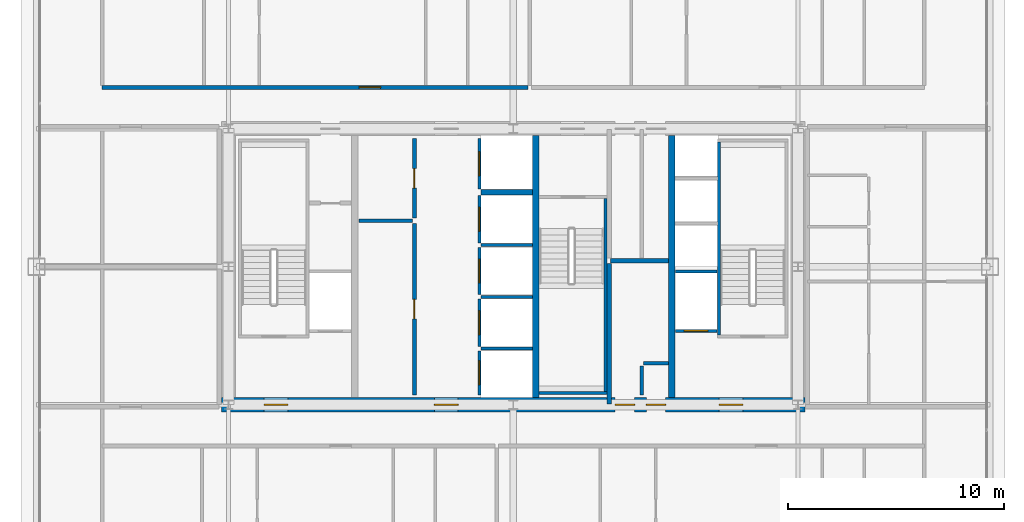
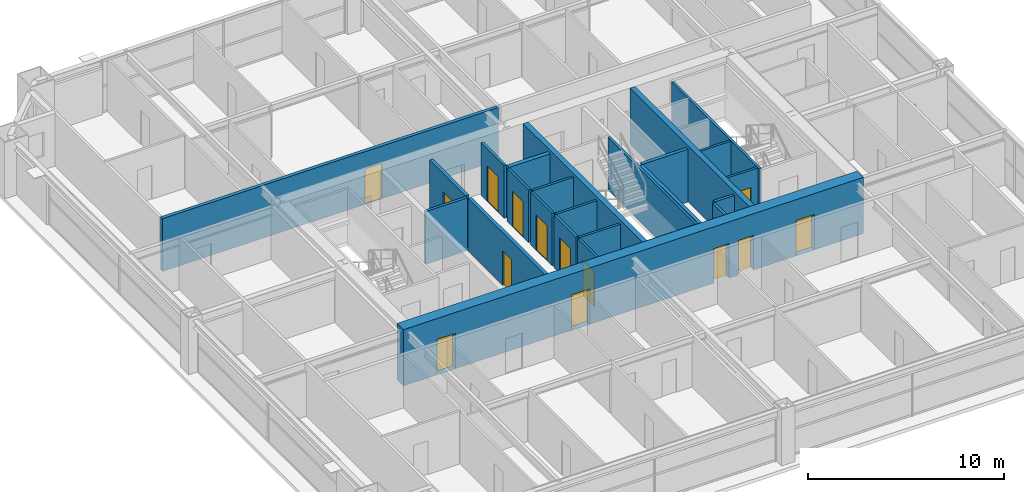
# One storey, part 34 of 38: 25 walls, 14 doors, 14 openings.
"""IFC4 building model written with IfcOpenShell, lengths in metres."""

from ifc_helpers import new_model, si_unit, direction, frame, frame_2d, origin, place, context, subcontext, project, spatial, rectangle, extrude, source, transform, mapped, material, layer, layer_set, type_object, element, fill, save


model = new_model("IFC4")

# Units and contexts
model_context = context("Model", 3, precision=1e-05, world=origin(), true_north=direction((0.0, 1.0)))
body_context = subcontext(model_context, "Body", "Model", "MODEL_VIEW")
ifc_project = project(units=[si_unit("LENGTHUNIT", "METRE"), si_unit("AREAUNIT", "SQUARE_METRE"), si_unit("VOLUMEUNIT", "CUBIC_METRE"), si_unit("PLANEANGLEUNIT", "RADIAN"), si_unit("MASSUNIT", "GRAM", prefix="KILO"), si_unit("THERMODYNAMICTEMPERATUREUNIT", "KELVIN"), si_unit("POWERUNIT", "WATT")], contexts=[model_context])

# Site, building, storey
site_placement = place(None, origin())
site = spatial("IfcSite", under=ifc_project, at=site_placement, CompositionType="ELEMENT")
building_placement = place(site_placement, origin())
building = spatial("IfcBuilding", under=site, at=building_placement, Name="Yuzanri Waterfront Tower", CompositionType="ELEMENT")
storey_placement = place(building_placement, frame((0.0, 0.0, 195.0)))
storey = spatial("IfcBuildingStorey", under=building, at=storey_placement, Name="L51", CompositionType="ELEMENT", Elevation=195.0)

# Wall, openings, doors
ifc_material_1 = material(Name="Concrete C50", Category="concrete")
ifc_layer_1 = layer(ifc_material_1, 0.64990234375)
ifc_layer_set_1 = layer_set([ifc_layer_1], Name="Concrete C50")
wall_type_1 = type_object("IfcWallType", Name="Concrete C50 Mid Zone Core Shear Wall 650", PredefinedType="SHEAR", material=ifc_layer_set_1)
wall_1_placement = place(storey_placement, frame((23.47509765625, 19.39990234375, 0.0), z_axis=(0.0, 0.0, 1.0), x_axis=(1.0, 0.0, 0.0)))
wall_1 = element("IfcWall", 1, at=wall_1_placement, inside=storey, type_object=wall_type_1, Name="L51 Core South Shear Wall", PredefinedType="SHEAR", context=body_context, shape_type="SweptSolid", body=[
    extrude(rectangle(XDim=27.0498046875, YDim=0.64990234375, at=frame_2d((13.52490234375, 0.0))), origin(), (0.0, 0.0, 1.0), 3.5),
])
opening_1_placement = place(wall_1_placement, frame((1.97509765625, 0.0, 0.0)))
opening_1 = element("IfcOpeningElement", 2, at=opening_1_placement, cuts=wall_1, Name="Opening FD-1100", PredefinedType="OPENING", context=body_context, shape_type="SweptSolid", body=[
    extrude(rectangle(XDim=1.10009765625, YDim=2.199951171875, at=frame_2d((0.550048828125, 1.10009765625))), frame((0.0, 0.33984375, 0.0), z_axis=(0.0, -1.0, 0.0), x_axis=(1.0, 0.0, 0.0)), (0.0, 0.0, 1.0), 0.6796875),
])
opening_2_placement = place(wall_1_placement, frame((9.875, 0.0, 0.0)))
opening_2 = element("IfcOpeningElement", 3, at=opening_2_placement, cuts=wall_1, Name="Opening FD-1100", PredefinedType="OPENING", context=body_context, shape_type="SweptSolid", body=[
    extrude(rectangle(XDim=1.10009765625, YDim=2.199951171875, at=frame_2d((0.550048828125, 1.10009765625))), frame((0.0, 0.33984375, 0.0), z_axis=(0.0, -1.0, 0.0), x_axis=(1.0, 0.0, 0.0)), (0.0, 0.0, 1.0), 0.6796875),
])
opening_3_placement = place(wall_1_placement, frame((23.074951171875, 0.0, 0.0)))
opening_3 = element("IfcOpeningElement", 4, at=opening_3_placement, cuts=wall_1, Name="Opening FD-1100", PredefinedType="OPENING", context=body_context, shape_type="SweptSolid", body=[
    extrude(rectangle(XDim=1.10009765625, YDim=2.199951171875, at=frame_2d((0.550048828125, 1.10009765625))), frame((0.0, 0.33984375, 0.0), z_axis=(0.0, -1.0, 0.0), x_axis=(1.0, 0.0, 0.0)), (0.0, 0.0, 1.0), 0.6796875),
])
opening_4_placement = place(wall_1_placement, frame((19.695068359375, 0.0, 0.0)))
opening_4 = element("IfcOpeningElement", 5, at=opening_4_placement, cuts=wall_1, Name="Opening FD-0900", PredefinedType="OPENING", context=body_context, shape_type="SweptSolid", body=[
    extrude(rectangle(XDim=0.89990234375, YDim=2.14990234375, at=frame_2d((0.449951171875, 1.074951171875))), frame((0.0, 0.33984375, 0.0), z_axis=(0.0, -1.0, 0.0), x_axis=(1.0, 0.0, 0.0)), (0.0, 0.0, 1.0), 0.6796875),
])
opening_5_placement = place(wall_1_placement, frame((18.2548828125, 0.0, 0.0)))
opening_5 = element("IfcOpeningElement", 6, at=opening_5_placement, cuts=wall_1, Name="Opening FD-0900", PredefinedType="OPENING", context=body_context, shape_type="SweptSolid", body=[
    extrude(rectangle(XDim=0.89990234375, YDim=2.14990234375, at=frame_2d((0.449951171875, 1.074951171875))), frame((0.0, 0.33984375, 0.0), z_axis=(0.0, -1.0, 0.0), x_axis=(1.0, 0.0, 0.0)), (0.0, 0.0, 1.0), 0.6796875),
])
ifc_material_2 = material(Name="Painted Galvanized Fire Steel", Category="steel")
door_type_1 = type_object("IfcDoorType", Name="Smoke-Proof Stair and Lobby Fire Door 1100x2200", OperationType="NOTDEFINED", PredefinedType="DOOR", material=ifc_material_2)
shared_shape_1 = source(origin(), body_context, "Body", "SweptSolid", [
    extrude(rectangle(XDim=1.10009765625, YDim=2.199951171875, at=frame_2d((0.550048828125, 1.10009765625))), frame((0.0, 0.02490234375, 0.0), z_axis=(0.0, -1.0, 0.0), x_axis=(1.0, 0.0, 0.0)), (0.0, 0.0, 1.0), 0.050048828125),
])
door_1_placement = place(opening_1_placement, origin())
door_1 = element("IfcDoor", 7, at=door_1_placement, inside=storey, type_object=door_type_1, Name="L51 West Firefighting Lobby Door", OperationType="SINGLE_SWING_RIGHT", OverallHeight=2.199951171875, OverallWidth=1.10009765625, PredefinedType="DOOR", context=body_context, shape_type="MappedRepresentation", body=[
    mapped(shared_shape_1, transform((0.0, 0.0, 0.0), scale=1.0)),
])
fill(opening_1, door_1)
door_2_placement = place(opening_2_placement, origin())
door_2 = element("IfcDoor", 8, at=door_2_placement, inside=storey, type_object=door_type_1, Name="L51 Central Lift Lobby South Door", OperationType="SINGLE_SWING_LEFT", OverallHeight=2.199951171875, OverallWidth=1.10009765625, PredefinedType="DOOR", context=body_context, shape_type="MappedRepresentation", body=[
    mapped(shared_shape_1, transform((0.0, 0.0, 0.0), scale=1.0)),
])
fill(opening_2, door_2)
door_3_placement = place(opening_3_placement, origin())
door_3 = element("IfcDoor", 9, at=door_3_placement, inside=storey, type_object=door_type_1, Name="L51 East Firefighting Lobby Door", OperationType="SINGLE_SWING_RIGHT", OverallHeight=2.199951171875, OverallWidth=1.10009765625, PredefinedType="DOOR", context=body_context, shape_type="MappedRepresentation", body=[
    mapped(shared_shape_1, transform((0.0, 0.0, 0.0), scale=1.0)),
])
fill(opening_3, door_3)
ifc_material_3 = material(Name="Painted Galvanized Fire Steel", Category="steel")
door_type_2 = type_object("IfcDoorType", Name="Riser and Service Room Fire Door 900x2150", OperationType="NOTDEFINED", PredefinedType="DOOR", material=ifc_material_3)
shared_shape_2 = source(origin(), body_context, "Body", "SweptSolid", [
    extrude(rectangle(XDim=0.89990234375, YDim=2.14990234375, at=frame_2d((0.449951171875, 1.074951171875))), frame((0.0, 0.02490234375, 0.0), z_axis=(0.0, -1.0, 0.0), x_axis=(1.0, 0.0, 0.0)), (0.0, 0.0, 1.0), 0.050048828125),
])
door_4_placement = place(opening_4_placement, origin())
door_4 = element("IfcDoor", 10, at=door_4_placement, inside=storey, type_object=door_type_2, Name="L51 East Wet Riser Door", OperationType="SINGLE_SWING_LEFT", OverallHeight=2.14990234375, OverallWidth=0.89990234375, PredefinedType="DOOR", context=body_context, shape_type="MappedRepresentation", body=[
    mapped(shared_shape_2, transform((0.0, 0.0, 0.0), scale=1.0)),
])
fill(opening_4, door_4)
door_5_placement = place(opening_5_placement, origin())
door_5 = element("IfcDoor", 11, at=door_5_placement, inside=storey, type_object=door_type_2, Name="L51 Cleaners Store Room", OperationType="SINGLE_SWING_RIGHT", OverallHeight=2.14990234375, OverallWidth=0.89990234375, PredefinedType="DOOR", context=body_context, shape_type="MappedRepresentation", body=[
    mapped(shared_shape_2, transform((0.0, 0.0, 0.0), scale=1.0)),
])
fill(opening_5, door_5)

# Wall, opening, door
ifc_material_4 = material(Name="Concrete C40", Category="concrete")
ifc_layer_2 = layer(ifc_material_4, 0.139892578125)
ifc_layer_set_2 = layer_set([ifc_layer_2], Name="Concrete C40")
wall_type_2 = type_object("IfcWallType", Name="Core Stair Liner and Hoistway Shaft Wall 140", PredefinedType="SOLIDWALL", material=ifc_layer_set_2)
wall_2_placement = place(storey_placement, frame((44.52001953125, 22.830078125, 0.0), z_axis=(0.0, 0.0, 1.0), x_axis=(1.0, 0.0, 0.0)))
wall_2 = element("IfcWall", 12, at=wall_2_placement, inside=storey, type_object=wall_type_2, Name="L51 Lift FL-02 Front Shaft Wall", PredefinedType="SOLIDWALL", context=body_context, shape_type="SweptSolid", body=[
    extrude(rectangle(XDim=1.919921875, YDim=0.139892578125, at=frame_2d((0.9599609375, 0.0))), origin(), (0.0, 0.0, 1.0), 3.280029296875),
])
opening_6_placement = place(wall_2_placement, frame((0.409912109375, 0.0, 0.0)))
opening_6 = element("IfcOpeningElement", 13, at=opening_6_placement, cuts=wall_2, Name="Opening LD-FL-02", PredefinedType="OPENING", context=body_context, shape_type="SweptSolid", body=[
    extrude(rectangle(XDim=1.10009765625, YDim=2.199951171875, at=frame_2d((0.550048828125, 1.10009765625))), frame((0.0, 0.0849609375, 0.0), z_axis=(0.0, -1.0, 0.0), x_axis=(1.0, 0.0, 0.0)), (0.0, 0.0, 1.0), 0.169677734375),
])
ifc_material_5 = material(Name="Brushed Bronze and Stainless Steel Cab", Category="steel")
door_type_3 = type_object("IfcDoorType", Name="Center-Parting Bronze Lift Landing Sliding Door 1100x2200", OperationType="NOTDEFINED", PredefinedType="DOOR", material=ifc_material_5)
shared_shape_3 = source(origin(), body_context, "Body", "SweptSolid", [
    extrude(rectangle(XDim=1.10009765625, YDim=2.199951171875, at=frame_2d((0.550048828125, 1.10009765625))), frame((0.0, 0.02490234375, 0.0), z_axis=(0.0, -1.0, 0.0), x_axis=(1.0, 0.0, 0.0)), (0.0, 0.0, 1.0), 0.050048828125),
])
door_6_placement = place(opening_6_placement, origin())
door_6 = element("IfcDoor", 14, at=door_6_placement, inside=storey, type_object=door_type_3, Name="L51 FL-02 Lift Landing Sliding Door", OperationType="SLIDING_TO_RIGHT", OverallHeight=2.199951171875, OverallWidth=1.10009765625, PredefinedType="DOOR", context=body_context, shape_type="MappedRepresentation", body=[
    mapped(shared_shape_3, transform((0.0, 0.0, 0.0), scale=1.0)),
])
fill(opening_6, door_6)

wall_3_placement = place(storey_placement, frame((35.429931640625, 19.860107421875, 0.0), z_axis=(0.0, 0.0, 1.0), x_axis=(0.0, 1.0, 0.0)))
wall_3 = element("IfcWall", 15, at=wall_3_placement, inside=storey, type_object=wall_type_2, Name="L51 Lift PL-05 Front Shaft Wall", PredefinedType="SOLIDWALL", context=body_context, shape_type="SweptSolid", body=[
    extrude(rectangle(XDim=2.039794921875, YDim=0.139892578125, at=frame_2d((1.02001953125, 0.0))), origin(), (0.0, 0.0, 1.0), 3.280029296875),
])
opening_7_placement = place(wall_3_placement, frame((0.469970703125, 0.0, 0.0)))
opening_7 = element("IfcOpeningElement", 16, at=opening_7_placement, cuts=wall_3, Name="Opening LD-PL-05", PredefinedType="OPENING", context=body_context, shape_type="SweptSolid", body=[
    extrude(rectangle(XDim=1.10009765625, YDim=2.199951171875, at=frame_2d((0.550048828125, 1.10009765625))), frame((0.0, 0.0849609375, 0.0), z_axis=(0.0, -1.0, 0.0), x_axis=(1.0, 0.0, 0.0)), (0.0, 0.0, 1.0), 0.169677734375),
])
door_7_placement = place(opening_7_placement, origin())
door_7 = element("IfcDoor", 17, at=door_7_placement, inside=storey, type_object=door_type_3, Name="L51 PL-05 Lift Landing Sliding Door", OperationType="SLIDING_TO_RIGHT", OverallHeight=2.199951171875, OverallWidth=1.10009765625, PredefinedType="DOOR", context=body_context, shape_type="MappedRepresentation", body=[
    mapped(shared_shape_3, transform((0.0, 0.0, 0.0), scale=1.0)),
])
fill(opening_7, door_7)

wall_4_placement = place(storey_placement, frame((35.429931640625, 22.10009765625, 0.0), z_axis=(0.0, 0.0, 1.0), x_axis=(0.0, 1.0, 0.0)))
wall_4 = element("IfcWall", 18, at=wall_4_placement, inside=storey, type_object=wall_type_2, Name="L51 Lift PL-06 Front Shaft Wall", PredefinedType="SOLIDWALL", context=body_context, shape_type="SweptSolid", body=[
    extrude(rectangle(XDim=2.199951171875, YDim=0.139892578125, at=frame_2d((1.10009765625, 0.0))), origin(), (0.0, 0.0, 1.0), 3.280029296875),
])
opening_8_placement = place(wall_4_placement, frame((0.550048828125, 0.0, 0.0)))
opening_8 = element("IfcOpeningElement", 19, at=opening_8_placement, cuts=wall_4, Name="Opening LD-PL-06", PredefinedType="OPENING", context=body_context, shape_type="SweptSolid", body=[
    extrude(rectangle(XDim=1.10009765625, YDim=2.199951171875, at=frame_2d((0.550048828125, 1.10009765625))), frame((0.0, 0.0849609375, 0.0), z_axis=(0.0, -1.0, 0.0), x_axis=(1.0, 0.0, 0.0)), (0.0, 0.0, 1.0), 0.169677734375),
])
door_8_placement = place(opening_8_placement, origin())
door_8 = element("IfcDoor", 20, at=door_8_placement, inside=storey, type_object=door_type_3, Name="L51 PL-06 Lift Landing Sliding Door", OperationType="SLIDING_TO_LEFT", OverallHeight=2.199951171875, OverallWidth=1.10009765625, PredefinedType="DOOR", context=body_context, shape_type="MappedRepresentation", body=[
    mapped(shared_shape_3, transform((0.0, 0.0, 0.0), scale=1.0)),
])
fill(opening_8, door_8)

wall_5_placement = place(storey_placement, frame((35.429931640625, 24.5, 0.0), z_axis=(0.0, 0.0, 1.0), x_axis=(0.0, 1.0, 0.0)))
wall_5 = element("IfcWall", 21, at=wall_5_placement, inside=storey, type_object=wall_type_2, Name="L51 Lift PL-07 Front Shaft Wall", PredefinedType="SOLIDWALL", context=body_context, shape_type="SweptSolid", body=[
    extrude(rectangle(XDim=2.199951171875, YDim=0.139892578125, at=frame_2d((1.10009765625, 0.0))), origin(), (0.0, 0.0, 1.0), 3.280029296875),
])
opening_9_placement = place(wall_5_placement, frame((0.550048828125, 0.0, 0.0)))
opening_9 = element("IfcOpeningElement", 22, at=opening_9_placement, cuts=wall_5, Name="Opening LD-PL-07", PredefinedType="OPENING", context=body_context, shape_type="SweptSolid", body=[
    extrude(rectangle(XDim=1.10009765625, YDim=2.199951171875, at=frame_2d((0.550048828125, 1.10009765625))), frame((0.0, 0.0849609375, 0.0), z_axis=(0.0, -1.0, 0.0), x_axis=(1.0, 0.0, 0.0)), (0.0, 0.0, 1.0), 0.169677734375),
])
door_9_placement = place(opening_9_placement, origin())
door_9 = element("IfcDoor", 23, at=door_9_placement, inside=storey, type_object=door_type_3, Name="L51 PL-07 Lift Landing Sliding Door", OperationType="SLIDING_TO_RIGHT", OverallHeight=2.199951171875, OverallWidth=1.10009765625, PredefinedType="DOOR", context=body_context, shape_type="MappedRepresentation", body=[
    mapped(shared_shape_3, transform((0.0, 0.0, 0.0), scale=1.0)),
])
fill(opening_9, door_9)

wall_6_placement = place(storey_placement, frame((35.429931640625, 26.89990234375, 0.0), z_axis=(0.0, 0.0, 1.0), x_axis=(0.0, 1.0, 0.0)))
wall_6 = element("IfcWall", 24, at=wall_6_placement, inside=storey, type_object=wall_type_2, Name="L51 Lift PL-08 Front Shaft Wall", PredefinedType="SOLIDWALL", context=body_context, shape_type="SweptSolid", body=[
    extrude(rectangle(XDim=2.2001953125, YDim=0.139892578125, at=frame_2d((1.10009765625, 0.0))), origin(), (0.0, 0.0, 1.0), 3.280029296875),
])
opening_10_placement = place(wall_6_placement, frame((0.550048828125, 0.0, 0.0)))
opening_10 = element("IfcOpeningElement", 25, at=opening_10_placement, cuts=wall_6, Name="Opening LD-PL-08", PredefinedType="OPENING", context=body_context, shape_type="SweptSolid", body=[
    extrude(rectangle(XDim=1.10009765625, YDim=2.199951171875, at=frame_2d((0.550048828125, 1.10009765625))), frame((0.0, 0.0849609375, 0.0), z_axis=(0.0, -1.0, 0.0), x_axis=(1.0, 0.0, 0.0)), (0.0, 0.0, 1.0), 0.169677734375),
])
door_10_placement = place(opening_10_placement, origin())
door_10 = element("IfcDoor", 26, at=door_10_placement, inside=storey, type_object=door_type_3, Name="L51 PL-08 Lift Landing Sliding Door", OperationType="SLIDING_TO_LEFT", OverallHeight=2.199951171875, OverallWidth=1.10009765625, PredefinedType="DOOR", context=body_context, shape_type="MappedRepresentation", body=[
    mapped(shared_shape_3, transform((0.0, 0.0, 0.0), scale=1.0)),
])
fill(opening_10, door_10)

wall_7_placement = place(storey_placement, frame((35.429931640625, 29.39990234375, 0.0), z_axis=(0.0, 0.0, 1.0), x_axis=(0.0, 1.0, 0.0)))
wall_7 = element("IfcWall", 27, at=wall_7_placement, inside=storey, type_object=wall_type_2, Name="L51 Lift SL-02 Front Shaft Wall", PredefinedType="SOLIDWALL", context=body_context, shape_type="SweptSolid", body=[
    extrude(rectangle(XDim=2.340087890625, YDim=0.139892578125, at=frame_2d((1.169921875, 0.0))), origin(), (0.0, 0.0, 1.0), 3.280029296875),
])
opening_11_placement = place(wall_7_placement, frame((0.6201171875, 0.0, 0.0)))
opening_11 = element("IfcOpeningElement", 28, at=opening_11_placement, cuts=wall_7, Name="Opening LD-SL-02", PredefinedType="OPENING", context=body_context, shape_type="SweptSolid", body=[
    extrude(rectangle(XDim=1.10009765625, YDim=2.199951171875, at=frame_2d((0.550048828125, 1.10009765625))), frame((0.0, 0.0849609375, 0.0), z_axis=(0.0, -1.0, 0.0), x_axis=(1.0, 0.0, 0.0)), (0.0, 0.0, 1.0), 0.169677734375),
])
door_11_placement = place(opening_11_placement, origin())
door_11 = element("IfcDoor", 29, at=door_11_placement, inside=storey, type_object=door_type_3, Name="L51 SL-02 Lift Landing Sliding Door", OperationType="SLIDING_TO_RIGHT", OverallHeight=2.199951171875, OverallWidth=1.10009765625, PredefinedType="DOOR", context=body_context, shape_type="MappedRepresentation", body=[
    mapped(shared_shape_3, transform((0.0, 0.0, 0.0), scale=1.0)),
])
fill(opening_11, door_11)

ifc_material_6 = material(Name="Autoclaved Aerated Concrete Blockwork", Category="masonry")
ifc_layer_3 = layer(ifc_material_6, 0.199951171875)
ifc_layer_set_3 = layer_set([ifc_layer_3], Name="Autoclaved Aerated Concrete Blockwork")
wall_type_3 = type_object("IfcWallType", Name="Corridor and Unit Party Fire Wall 200", PredefinedType="PARTITIONING", material=ifc_layer_set_3)
wall_8_placement = place(storey_placement, frame((32.419921875, 19.860107421875, 0.0), z_axis=(0.0, 0.0, 1.0), x_axis=(0.0, 1.0, 0.0)))
wall_8 = element("IfcWall", 30, at=wall_8_placement, inside=storey, type_object=wall_type_3, Name="L51 Partition CRW-L51-B1R-1", PredefinedType="PARTITIONING", context=body_context, shape_type="SweptSolid", body=[
    extrude(rectangle(XDim=7.93994140625, YDim=0.199951171875, at=frame_2d((3.969970703125, 0.0))), origin(), (0.0, 0.0, 1.0), 3.280029296875),
])
opening_12_placement = place(wall_8_placement, frame((3.52001953125, 0.0, 0.0)))
opening_12 = element("IfcOpeningElement", 31, at=opening_12_placement, cuts=wall_8, Name="Opening FD-0900", PredefinedType="OPENING", context=body_context, shape_type="SweptSolid", body=[
    extrude(rectangle(XDim=0.89990234375, YDim=2.14990234375, at=frame_2d((0.449951171875, 1.074951171875))), frame((0.0, 0.11474609375, 0.0), z_axis=(0.0, -1.0, 0.0), x_axis=(1.0, 0.0, 0.0)), (0.0, 0.0, 1.0), 0.229736328125),
])
door_12_placement = place(opening_12_placement, origin())
door_12 = element("IfcDoor", 32, at=door_12_placement, inside=storey, type_object=door_type_2, Name="L51 General Store Room", OperationType="SINGLE_SWING_LEFT", OverallHeight=2.14990234375, OverallWidth=0.89990234375, PredefinedType="DOOR", context=body_context, shape_type="MappedRepresentation", body=[
    mapped(shared_shape_2, transform((0.0, 0.0, 0.0), scale=1.0)),
])
fill(opening_12, door_12)

wall_9_placement = place(storey_placement, frame((32.419921875, 28.050048828125, 0.0), z_axis=(0.0, 0.0, 1.0), x_axis=(0.0, 1.0, 0.0)))
wall_9 = element("IfcWall", 33, at=wall_9_placement, inside=storey, type_object=wall_type_3, Name="L51 Partition CRW-L51-B1R-2", PredefinedType="PARTITIONING", context=body_context, shape_type="SweptSolid", body=[
    extrude(rectangle(XDim=3.68994140625, YDim=0.199951171875, at=frame_2d((1.844970703125, 0.0))), origin(), (0.0, 0.0, 1.0), 3.280029296875),
])
opening_13_placement = place(wall_9_placement, frame((1.39501953125, 0.0, 0.0)))
opening_13 = element("IfcOpeningElement", 34, at=opening_13_placement, cuts=wall_9, Name="Opening FD-0900", PredefinedType="OPENING", context=body_context, shape_type="SweptSolid", body=[
    extrude(rectangle(XDim=0.89990234375, YDim=2.14990234375, at=frame_2d((0.449951171875, 1.074951171875))), frame((0.0, 0.11474609375, 0.0), z_axis=(0.0, -1.0, 0.0), x_axis=(1.0, 0.0, 0.0)), (0.0, 0.0, 1.0), 0.229736328125),
])
door_13_placement = place(opening_13_placement, origin())
door_13 = element("IfcDoor", 35, at=door_13_placement, inside=storey, type_object=door_type_2, Name="L51 Water Riser Shaft", OperationType="SINGLE_SWING_RIGHT", OverallHeight=2.14990234375, OverallWidth=0.89990234375, PredefinedType="DOOR", context=body_context, shape_type="MappedRepresentation", body=[
    mapped(shared_shape_2, transform((0.0, 0.0, 0.0), scale=1.0)),
])
fill(opening_13, door_13)

wall_10_placement = place(storey_placement, frame((17.93994140625, 34.110107421875, 0.0), z_axis=(0.0, 0.0, 1.0), x_axis=(1.0, 0.0, 0.0)))
wall_10 = element("IfcWall", 36, at=wall_10_placement, inside=storey, type_object=wall_type_3, Name="L51 Partition UW-L51-RN1-CS", PredefinedType="PARTITIONING", context=body_context, shape_type="SweptSolid", body=[
    extrude(rectangle(XDim=19.741943359375, YDim=0.199951171875, at=frame_2d((9.87109375, 0.0))), origin(), (0.0, 0.0, 1.0), 3.280029296875),
])
opening_14_placement = place(wall_10_placement, frame((11.9150390625, 0.0, 0.0)))
opening_14 = element("IfcOpeningElement", 37, at=opening_14_placement, cuts=wall_10, Name="Opening FD-1000", PredefinedType="OPENING", context=body_context, shape_type="SweptSolid", body=[
    extrude(rectangle(XDim=1.0, YDim=2.199951171875, at=frame_2d((0.5, 1.10009765625))), frame((0.0, 0.11474609375, 0.0), z_axis=(0.0, -1.0, 0.0), x_axis=(1.0, 0.0, 0.0)), (0.0, 0.0, 1.0), 0.229736328125),
])
ifc_material_7 = material(Name="Engineered Oak Fire-Rated Timber", Category="wood")
door_type_4 = type_object("IfcDoorType", Name="Guestroom and Apartment Entrance Fire Door 1000x2200", OperationType="NOTDEFINED", PredefinedType="DOOR", material=ifc_material_7)
shared_shape_4 = source(origin(), body_context, "Body", "SweptSolid", [
    extrude(rectangle(XDim=1.0, YDim=2.199951171875, at=frame_2d((0.5, 1.10009765625))), frame((0.0, 0.02490234375, 0.0), z_axis=(0.0, -1.0, 0.0), x_axis=(1.0, 0.0, 0.0)), (0.0, 0.0, 1.0), 0.050048828125),
])
door_14_placement = place(opening_14_placement, origin())
door_14 = element("IfcDoor", 38, at=door_14_placement, inside=storey, type_object=door_type_4, Name="L51 Apartment Living and Dining Salon Entrance Door", OperationType="SINGLE_SWING_LEFT", OverallHeight=2.199951171875, OverallWidth=1.0, PredefinedType="DOOR", context=body_context, shape_type="MappedRepresentation", body=[
    mapped(shared_shape_4, transform((0.0, 0.0, 0.0), scale=1.0)),
])
fill(opening_14, door_14)

# Walls
ifc_material_8 = material(Name="Concrete C50", Category="concrete")
ifc_layer_4 = layer(ifc_material_8, 0.300048828125)
ifc_layer_set_4 = layer_set([ifc_layer_4], Name="Concrete C50")
wall_type_4 = type_object("IfcWallType", Name="Concrete C50 Internal Core Shaft Structural Wall 300", PredefinedType="SOLIDWALL", material=ifc_layer_set_4)
shared_shape_5 = source(origin(), body_context, "Body", "SweptSolid", [
    extrude(rectangle(XDim=12.14990234375, YDim=0.300048828125, at=frame_2d((6.074951171875, 0.0))), origin(), (0.0, 0.0, 1.0), 3.5),
])
for number, where, z_axis, x_axis, name in (
    (39, (38.050048828125, 19.72509765625, 0.0), (0.0, 0.0, 1.0), (0.0, 1.0, 0.0), "L51 Core Internal Structural Web Wall 2"),
    (40, (44.35009765625, 19.72509765625, 0.0), (0.0, 0.0, 1.0), (0.0, 1.0, 0.0), "L51 Core Internal Structural Web Wall 3"),
):
    element("IfcWall", number, at=place(storey_placement, frame(where, z_axis=z_axis, x_axis=x_axis)), inside=storey, type_object=wall_type_4, Name=name, PredefinedType="SOLIDWALL", context=body_context, shape_type="MappedRepresentation", body=[
        mapped(shared_shape_5, transform((0.0, 0.0, 0.0), scale=1.0)),
    ])
shared_shape_6 = source(origin(), body_context, "Body", "SweptSolid", [
    extrude(rectangle(XDim=1.919921875, YDim=0.139892578125, at=frame_2d((0.9599609375, 0.0))), origin(), (0.0, 0.0, 1.0), 3.280029296875),
])
wall_11_placement = place(storey_placement, frame((44.52001953125, 25.570068359375, 0.0), z_axis=(0.0, 0.0, 1.0), x_axis=(1.0, 0.0, 0.0)))
element("IfcWall", 41, at=wall_11_placement, inside=storey, type_object=wall_type_2, Name="L51 Lift FL-02 Back Shaft Wall", PredefinedType="SOLIDWALL", context=body_context, shape_type="MappedRepresentation", body=[
    mapped(shared_shape_6, transform((0.0, 0.0, 0.0), scale=1.0)),
])
shared_shape_7 = source(origin(), body_context, "Body", "SweptSolid", [
    extrude(rectangle(XDim=2.39990234375, YDim=0.139892578125, at=frame_2d((1.199951171875, 0.0))), origin(), (0.0, 0.0, 1.0), 3.280029296875),
])
for number, where, z_axis, x_axis, name in (
    (42, (35.5, 22.0, 0.0), (0.0, 0.0, 1.0), (1.0, 0.0, 0.0), "L51 Lift PL-05 Divider Wall"),
    (43, (35.5, 24.39990234375, 0.0), (0.0, 0.0, 1.0), (1.0, 0.0, 0.0), "L51 Lift PL-06 Divider Wall"),
    (44, (35.5, 26.800048828125, 0.0), (0.0, 0.0, 1.0), (1.0, 0.0, 0.0), "L51 Lift PL-07 Divider Wall"),
):
    element("IfcWall", number, at=place(storey_placement, frame(where, z_axis=z_axis, x_axis=x_axis)), inside=storey, type_object=wall_type_2, Name=name, PredefinedType="SOLIDWALL", context=body_context, shape_type="MappedRepresentation", body=[
        mapped(shared_shape_7, transform((0.0, 0.0, 0.0), scale=1.0)),
    ])
ifc_material_9 = material(Name="Concrete C40", Category="concrete")
ifc_layer_5 = layer(ifc_material_9, 0.25)
ifc_layer_set_5 = layer_set([ifc_layer_5], Name="Concrete C40")
wall_type_5 = type_object("IfcWallType", Name="Smoke-Proof Stair and Lift Shaft Wall 250", PredefinedType="SOLIDWALL", material=ifc_layer_set_5)
shared_shape_8 = source(origin(), body_context, "Body", "SweptSolid", [
    extrude(rectangle(XDim=2.39990234375, YDim=0.25, at=frame_2d((1.199951171875, 0.0))), origin(), (0.0, 0.0, 1.0), 3.280029296875),
])
wall_12_placement = place(storey_placement, frame((35.5, 29.25, 0.0), z_axis=(0.0, 0.0, 1.0), x_axis=(1.0, 0.0, 0.0)))
element("IfcWall", 45, at=wall_12_placement, inside=storey, type_object=wall_type_5, Name="L51 Lift SL-02 South Shaft Wall", PredefinedType="SOLIDWALL", context=body_context, shape_type="MappedRepresentation", body=[
    mapped(shared_shape_8, transform((0.0, 0.0, 0.0), scale=1.0)),
])
shared_shape_9 = source(origin(), body_context, "Body", "SweptSolid", [
    extrude(rectangle(XDim=8.940185546875, YDim=0.139892578125, at=frame_2d((4.47021484375, 0.0))), origin(), (0.0, 0.0, 1.0), 3.280029296875),
])
wall_13_placement = place(storey_placement, frame((46.530029296875, 22.639892578125, 0.0), z_axis=(0.0, 0.0, 1.0), x_axis=(0.0, 1.0, 0.0)))
element("IfcWall", 46, at=wall_13_placement, inside=storey, type_object=wall_type_2, Name="L51 Stair ST-02 West Shaft Wall", PredefinedType="SOLIDWALL", context=body_context, shape_type="MappedRepresentation", body=[
    mapped(shared_shape_9, transform((0.0, 0.0, 0.0), scale=1.0)),
])
shared_shape_10 = source(origin(), body_context, "Body", "SweptSolid", [
    extrude(rectangle(XDim=3.14013671875, YDim=0.139892578125, at=frame_2d((1.570068359375, 0.0))), origin(), (0.0, 0.0, 1.0), 3.280029296875),
])
wall_14_placement = place(storey_placement, frame((38.199951171875, 19.949951171875, 0.0), z_axis=(0.0, 0.0, 1.0), x_axis=(1.0, 0.0, 0.0)))
element("IfcWall", 47, at=wall_14_placement, inside=storey, type_object=wall_type_2, Name="L51 Stair ST-03 South Shaft Wall", PredefinedType="SOLIDWALL", context=body_context, shape_type="MappedRepresentation", body=[
    mapped(shared_shape_10, transform((0.0, 0.0, 0.0), scale=1.0)),
])
shared_shape_11 = source(origin(), body_context, "Body", "SweptSolid", [
    extrude(rectangle(XDim=8.93994140625, YDim=0.139892578125, at=frame_2d((4.469970703125, 0.0))), origin(), (0.0, 0.0, 1.0), 3.280029296875),
])
wall_15_placement = place(storey_placement, frame((41.27001953125, 20.02001953125, 0.0), z_axis=(0.0, 0.0, 1.0), x_axis=(0.0, 1.0, 0.0)))
element("IfcWall", 48, at=wall_15_placement, inside=storey, type_object=wall_type_2, Name="L51 Stair ST-03 East Shaft Wall", PredefinedType="SOLIDWALL", context=body_context, shape_type="MappedRepresentation", body=[
    mapped(shared_shape_11, transform((0.0, 0.0, 0.0), scale=1.0)),
])
ifc_material_10 = material(Name="Gypsum Fireboard Acoustic Stud Wall", Category="gypsum")
ifc_layer_6 = layer(ifc_material_10, 0.159912109375)
ifc_layer_set_6 = layer_set([ifc_layer_6], Name="Gypsum Fireboard Acoustic Stud Wall")
wall_type_6 = type_object("IfcWallType", Name="Acoustic Suite Demising Partition 160", PredefinedType="PARTITIONING", material=ifc_layer_set_6)
shared_shape_12 = source(origin(), body_context, "Body", "SweptSolid", [
    extrude(rectangle(XDim=2.469970703125, YDim=0.159912109375, at=frame_2d((1.23486328125, 0.0))), origin(), (0.0, 0.0, 1.0), 3.280029296875),
])
wall_16_placement = place(storey_placement, frame((29.85009765625, 27.929931640625, 0.0), z_axis=(0.0, 0.0, 1.0), x_axis=(1.0, 0.0, 0.0)))
element("IfcWall", 49, at=wall_16_placement, inside=storey, type_object=wall_type_6, Name="L51 Reclaimed Core Divider 2", PredefinedType="PARTITIONING", context=body_context, shape_type="MappedRepresentation", body=[
    mapped(shared_shape_12, transform((0.0, 0.0, 0.0), scale=1.0)),
])
shared_shape_13 = source(origin(), body_context, "Body", "SweptSolid", [
    extrude(rectangle(XDim=1.33984375, YDim=0.159912109375, at=frame_2d((0.669921875, 0.0))), origin(), (0.0, 0.0, 1.0), 3.280029296875),
])
wall_17_placement = place(storey_placement, frame((42.949951171875, 19.860107421875, 0.0), z_axis=(0.0, 0.0, 1.0), x_axis=(0.0, 1.0, 0.0)))
element("IfcWall", 50, at=wall_17_placement, inside=storey, type_object=wall_type_6, Name="L51 East Wet Riser West Wall", PredefinedType="PARTITIONING", context=body_context, shape_type="MappedRepresentation", body=[
    mapped(shared_shape_13, transform((0.0, 0.0, 0.0), scale=1.0)),
])
shared_shape_14 = source(origin(), body_context, "Body", "SweptSolid", [
    extrude(rectangle(XDim=1.169921875, YDim=0.159912109375, at=frame_2d((0.5849609375, 0.0))), origin(), (0.0, 0.0, 1.0), 3.280029296875),
])
wall_18_placement = place(storey_placement, frame((43.030029296875, 21.320068359375, 0.0), z_axis=(0.0, 0.0, 1.0), x_axis=(1.0, 0.0, 0.0)))
element("IfcWall", 51, at=wall_18_placement, inside=storey, type_object=wall_type_6, Name="L51 East Wet Riser North Wall", PredefinedType="PARTITIONING", context=body_context, shape_type="MappedRepresentation", body=[
    mapped(shared_shape_14, transform((0.0, 0.0, 0.0), scale=1.0)),
])
shared_shape_15 = source(origin(), body_context, "Body", "SweptSolid", [
    extrude(rectangle(XDim=6.510009765625, YDim=0.199951171875, at=frame_2d((3.2548828125, 0.0))), origin(), (0.0, 0.0, 1.0), 3.280029296875),
])
wall_19_placement = place(storey_placement, frame((41.449951171875, 19.43994140625, 0.0), z_axis=(0.0, 0.0, 1.0), x_axis=(0.0, 1.0, 0.0)))
element("IfcWall", 52, at=wall_19_placement, inside=storey, type_object=wall_type_3, Name="L51 Core BOH West Wall 1", PredefinedType="PARTITIONING", context=body_context, shape_type="MappedRepresentation", body=[
    mapped(shared_shape_15, transform((0.0, 0.0, 0.0), scale=1.0)),
])
shared_shape_16 = source(origin(), body_context, "Body", "SweptSolid", [
    extrude(rectangle(XDim=2.699951171875, YDim=0.199951171875, at=frame_2d((1.35009765625, 0.0))), origin(), (0.0, 0.0, 1.0), 3.280029296875),
])
wall_20_placement = place(storey_placement, frame((41.5, 26.070068359375, 0.0), z_axis=(0.0, 0.0, 1.0), x_axis=(1.0, 0.0, 0.0)))
element("IfcWall", 53, at=wall_20_placement, inside=storey, type_object=wall_type_3, Name="L51 Core BOH Split Wall 1", PredefinedType="PARTITIONING", context=body_context, shape_type="MappedRepresentation", body=[
    mapped(shared_shape_16, transform((0.0, 0.0, 0.0), scale=1.0)),
])

save(model, "model.ifc")
